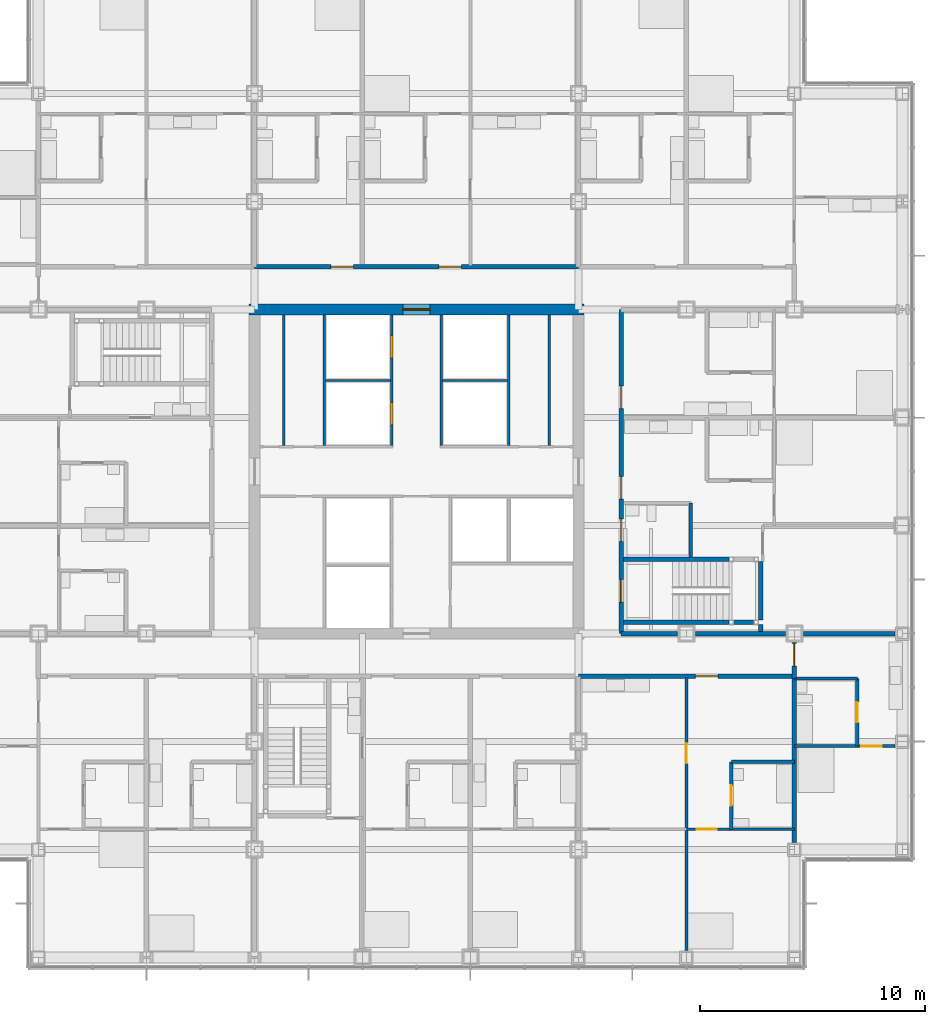
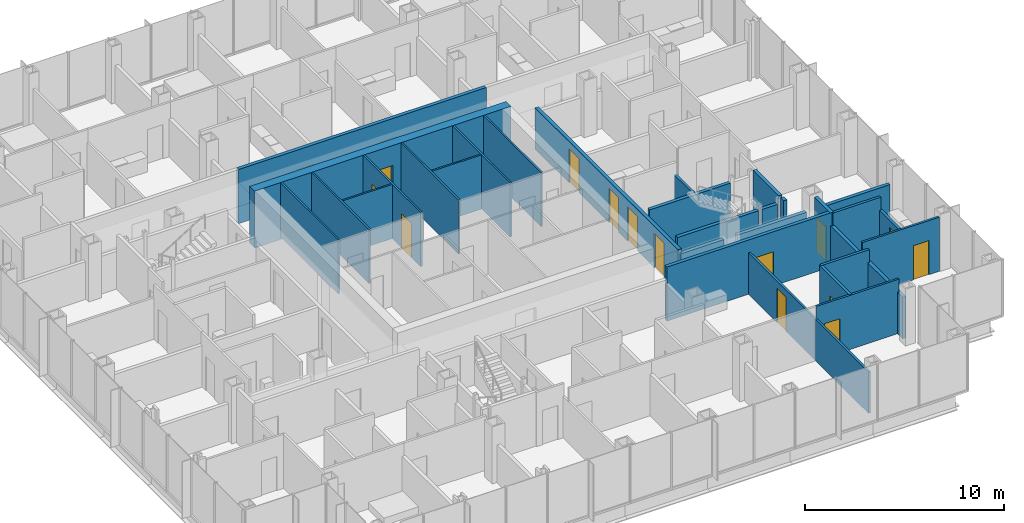
# One storey, part 16 of 21: 31 walls, 16 doors, 16 openings.
"""IFC4 building model written with IfcOpenShell, lengths in metres."""

from ifc_helpers import new_model, si_unit, direction, frame, frame_2d, origin, place, context, subcontext, project, spatial, rectangle, extrude, material, layer, layer_set, type_object, element, fill, save


model = new_model("IFC4")

# Units and contexts
model_context = context("Model", 3, precision=1e-05, world=origin(), true_north=direction((0.0, 1.0)))
body_context = subcontext(model_context, "Body", "Model", "MODEL_VIEW")
ifc_project = project(units=[si_unit("LENGTHUNIT", "METRE"), si_unit("AREAUNIT", "SQUARE_METRE"), si_unit("VOLUMEUNIT", "CUBIC_METRE"), si_unit("PLANEANGLEUNIT", "RADIAN"), si_unit("MASSUNIT", "GRAM", prefix="KILO")], contexts=[model_context])

# Site, building, storey
site_placement = place(None, origin())
site = spatial("IfcSite", under=ifc_project, at=site_placement, CompositionType="ELEMENT")
building_placement = place(site_placement, origin())
building = spatial("IfcBuilding", under=site, at=building_placement, Name="Kvirike Care Tower", CompositionType="ELEMENT")
storey_placement = place(building_placement, frame((0.0, 0.0, 34.0)))
storey = spatial("IfcBuildingStorey", under=building, at=storey_placement, Name="L08", CompositionType="ELEMENT", Elevation=34.0)

# Wall, opening, door
ifc_material_1 = material(Name="Moisture-resistant board partition", Category="gypsum")
ifc_layer_1 = layer(ifc_material_1, 0.14990234375)
ifc_layer_set_1 = layer_set([ifc_layer_1], Name="BATHROOM WALL 150")
wall_type_1 = type_object("IfcWallType", Name="BATHROOM WALL 150", PredefinedType="PARTITIONING", material=ifc_layer_set_1)
wall_1_placement = place(storey_placement, frame((35.60009765625, 20.10009765625, 0.0), z_axis=(0.0, 0.0, 1.0), x_axis=(0.0, 1.0, 0.0)))
wall_1 = element("IfcWall", 1, at=wall_1_placement, inside=storey, type_object=wall_type_1, Name="Bathroom Wall 150 L08", PredefinedType="PARTITIONING", context=body_context, shape_type="SweptSolid", body=[
    extrude(rectangle(XDim=3.0, YDim=0.14990234375, at=frame_2d((1.5, 0.0))), origin(), (0.0, 0.0, 1.0), 3.330078125),
])
opening_1_placement = place(wall_1_placement, frame((1.050048828125, 0.0, 0.0)))
opening_1 = element("IfcOpeningElement", 2, at=opening_1_placement, cuts=wall_1, Name="Opening 08-043", PredefinedType="OPENING", context=body_context, shape_type="SweptSolid", body=[
    extrude(rectangle(XDim=0.89990234375, YDim=2.10009765625, at=frame_2d((0.449951171875, 1.050048828125))), frame((0.0, 0.08544921875, 0.0), z_axis=(0.0, -1.0, 0.0), x_axis=(1.0, 0.0, 0.0)), (0.0, 0.0, 1.0), 0.1708984375),
])
ifc_material_2 = material(Name="Timber door set", Category="wood")
door_type_1 = type_object("IfcDoorType", Name="BATHROOM DOOR 900", OperationType="SINGLE_SWING_RIGHT", PredefinedType="DOOR", material=ifc_material_2)
door_1_placement = place(opening_1_placement, frame((0.89990234375, 0.0, 0.0), z_axis=(0.0, 0.0, 1.0), x_axis=(-1.0, 0.0, 0.0)))
door_1 = element("IfcDoor", 3, at=door_1_placement, inside=storey, type_object=door_type_1, Name="Bathroom door", OperationType="SINGLE_SWING_RIGHT", OverallHeight=2.10009765625, OverallWidth=0.89990234375, PredefinedType="DOOR", context=body_context, shape_type="SweptSolid", body=[
    extrude(rectangle(XDim=0.89990234375, YDim=2.10009765625, at=frame_2d((0.449951171875, 1.050048828125))), frame((0.0, 0.02197265625, 0.0), z_axis=(0.0, -1.0, 0.0), x_axis=(1.0, 0.0, 0.0)), (0.0, 0.0, 1.0), 0.0439453125),
])
fill(opening_1, door_1)

# Wall
wall_2_placement = place(storey_placement, frame((35.60009765625, 23.10009765625, 0.0), z_axis=(0.0, 0.0, 1.0), x_axis=(1.0, 0.0, 0.0)))
element("IfcWall", 4, at=wall_2_placement, inside=storey, type_object=wall_type_1, Name="Bathroom Wall 150 L08", PredefinedType="PARTITIONING", context=body_context, shape_type="SweptSolid", body=[
    extrude(rectangle(XDim=2.7998046875, YDim=0.14990234375, at=frame_2d((1.39990234375, 0.0))), origin(), (0.0, 0.0, 1.0), 3.330078125),
])

# Wall, opening, door
wall_3_placement = place(storey_placement, frame((41.199951171875, 23.800048828125, 0.0), z_axis=(0.0, 0.0, 1.0), x_axis=(0.0, 1.0, 0.0)))
wall_3 = element("IfcWall", 5, at=wall_3_placement, inside=storey, type_object=wall_type_1, Name="Bathroom Wall 150 L08", PredefinedType="PARTITIONING", context=body_context, shape_type="SweptSolid", body=[
    extrude(rectangle(XDim=3.0, YDim=0.14990234375, at=frame_2d((1.5, 0.0))), origin(), (0.0, 0.0, 1.0), 2.550048828125),
])
opening_2_placement = place(wall_3_placement, frame((1.050048828125, 0.0, 0.0)))
opening_2 = element("IfcOpeningElement", 6, at=opening_2_placement, cuts=wall_3, Name="Opening 08-047", PredefinedType="OPENING", context=body_context, shape_type="SweptSolid", body=[
    extrude(rectangle(XDim=0.89990234375, YDim=2.10009765625, at=frame_2d((0.449951171875, 1.050048828125))), frame((0.0, 0.08544921875, 0.0), z_axis=(0.0, -1.0, 0.0), x_axis=(1.0, 0.0, 0.0)), (0.0, 0.0, 1.0), 0.1708984375),
])
door_2_placement = place(opening_2_placement, origin())
door_2 = element("IfcDoor", 7, at=door_2_placement, inside=storey, type_object=door_type_1, Name="Bathroom door", OperationType="SINGLE_SWING_LEFT", OverallHeight=2.10009765625, OverallWidth=0.89990234375, PredefinedType="DOOR", context=body_context, shape_type="SweptSolid", body=[
    extrude(rectangle(XDim=0.89990234375, YDim=2.10009765625, at=frame_2d((0.449951171875, 1.050048828125))), frame((0.0, 0.02197265625, 0.0), z_axis=(0.0, -1.0, 0.0), x_axis=(1.0, 0.0, 0.0)), (0.0, 0.0, 1.0), 0.0439453125),
])
fill(opening_2, door_2)

# Walls
wall_4_placement = place(storey_placement, frame((38.39990234375, 26.800048828125, 0.0), z_axis=(0.0, 0.0, 1.0), x_axis=(1.0, 0.0, 0.0)))
element("IfcWall", 8, at=wall_4_placement, inside=storey, type_object=wall_type_1, Name="Bathroom Wall 150 L08", PredefinedType="PARTITIONING", context=body_context, shape_type="SweptSolid", body=[
    extrude(rectangle(XDim=2.800048828125, YDim=0.14990234375, at=frame_2d((1.39990234375, 0.0))), origin(), (0.0, 0.0, 1.0), 3.330078125),
])
wall_5_placement = place(storey_placement, frame((33.800048828125, 32.199951171875, 0.0), z_axis=(0.0, 0.0, 1.0), x_axis=(0.0, 1.0, 0.0)))
element("IfcWall", 9, at=wall_5_placement, inside=storey, type_object=wall_type_1, Name="Bathroom Wall 150 L08", PredefinedType="PARTITIONING", context=body_context, shape_type="SweptSolid", body=[
    extrude(rectangle(XDim=2.400146484375, YDim=0.14990234375, at=frame_2d((1.2001953125, 0.0))), origin(), (0.0, 0.0, 1.0), 2.550048828125),
])

# Wall, opening, door
ifc_material_3 = material(Name="Concrete C60/75", Category="concrete")
ifc_layer_2 = layer(ifc_material_3, 0.5)
ifc_layer_set_2 = layer_set([ifc_layer_2], Name="CORE WALL 500 C60-75")
wall_type_2 = type_object("IfcWallType", Name="CORE WALL 500 C60-75", PredefinedType="SHEAR", material=ifc_layer_set_2)
wall_6_placement = place(storey_placement, frame((29.050048828125, 43.199951171875, -0.169921875), z_axis=(0.0, 0.0, 1.0), x_axis=(-1.0, 0.0, 0.0)))
wall_6 = element("IfcWall", 10, at=wall_6_placement, inside=storey, type_object=wall_type_2, Name="Core wall N L08", PredefinedType="SHEAR", context=body_context, shape_type="SweptSolid", body=[
    extrude(rectangle(XDim=14.900146484375, YDim=0.5, at=frame_2d((7.4501953125, 0.0))), origin(), (0.0, 0.0, 1.0), 3.5),
])
opening_3_placement = place(wall_6_placement, frame((6.85009765625, 0.0, 0.169921875)))
opening_3 = element("IfcOpeningElement", 11, at=opening_3_placement, cuts=wall_6, Name="Opening 08-082", PredefinedType="OPENING", context=body_context, shape_type="SweptSolid", body=[
    extrude(rectangle(XDim=1.199951171875, YDim=2.10009765625, at=frame_2d((0.60009765625, 1.050048828125))), frame((0.0, 0.260498046875, 0.0), z_axis=(0.0, -1.0, 0.0), x_axis=(1.0, 0.0, 0.0)), (0.0, 0.0, 1.0), 0.52099609375),
])
ifc_material_4 = material(Name="Timber door set", Category="wood")
door_type_2 = type_object("IfcDoorType", Name="CORE DOOR 1200", OperationType="SINGLE_SWING_LEFT", PredefinedType="DOOR", material=ifc_material_4)
door_3_placement = place(opening_3_placement, origin())
door_3 = element("IfcDoor", 12, at=door_3_placement, inside=storey, type_object=door_type_2, Name="Core door N L08", OperationType="SINGLE_SWING_LEFT", OverallHeight=2.10009765625, OverallWidth=1.199951171875, PredefinedType="DOOR", context=body_context, shape_type="SweptSolid", body=[
    extrude(rectangle(XDim=1.199951171875, YDim=2.10009765625, at=frame_2d((0.60009765625, 1.050048828125))), frame((0.0, 0.02685546875, 0.0), z_axis=(0.0, -1.0, 0.0), x_axis=(1.0, 0.0, 0.0)), (0.0, 0.0, 1.0), 0.053955078125),
])
fill(opening_3, door_3)

# Wall, openings, doors
ifc_material_5 = material(Name="Plasterboard corridor wall", Category="gypsum")
ifc_layer_3 = layer(ifc_material_5, 0.199951171875)
ifc_layer_set_3 = layer_set([ifc_layer_3], Name="CORRIDOR WALL 200")
wall_type_3 = type_object("IfcWallType", Name="CORRIDOR WALL 200", PredefinedType="PARTITIONING", material=ifc_layer_set_3)
wall_7_placement = place(storey_placement, frame((28.800048828125, 45.10009765625, 0.0), z_axis=(0.0, 0.0, 1.0), x_axis=(-1.0, 0.0, 0.0)))
wall_7 = element("IfcWall", 13, at=wall_7_placement, inside=storey, type_object=wall_type_3, Name="Corridor Wall 200 L08", PredefinedType="PARTITIONING", context=body_context, shape_type="SweptSolid", body=[
    extrude(rectangle(XDim=14.400146484375, YDim=0.199951171875, at=frame_2d((7.2001953125, 0.0))), origin(), (0.0, 0.0, 1.0), 3.330078125),
])
opening_4_placement = place(wall_7_placement, frame((5.199951171875, 0.0, 0.0)))
opening_4 = element("IfcOpeningElement", 14, at=opening_4_placement, cuts=wall_7, Name="Opening 08-041", PredefinedType="OPENING", context=body_context, shape_type="SweptSolid", body=[
    extrude(rectangle(XDim=1.0, YDim=2.10009765625, at=frame_2d((0.5, 1.050048828125))), frame((0.0, 0.110595703125, 0.0), z_axis=(0.0, -1.0, 0.0), x_axis=(1.0, 0.0, 0.0)), (0.0, 0.0, 1.0), 0.220947265625),
])
opening_5_placement = place(wall_7_placement, frame((10.0, 0.0, 0.0)))
opening_5 = element("IfcOpeningElement", 15, at=opening_5_placement, cuts=wall_7, Name="Opening 08-042", PredefinedType="OPENING", context=body_context, shape_type="SweptSolid", body=[
    extrude(rectangle(XDim=1.0, YDim=2.10009765625, at=frame_2d((0.5, 1.050048828125))), frame((0.0, 0.110595703125, 0.0), z_axis=(0.0, -1.0, 0.0), x_axis=(1.0, 0.0, 0.0)), (0.0, 0.0, 1.0), 0.220947265625),
])
ifc_material_6 = material(Name="Timber door set", Category="wood")
door_type_3 = type_object("IfcDoorType", Name="FLAT ENTRANCE DOOR 1000", OperationType="SINGLE_SWING_LEFT", PredefinedType="DOOR", material=ifc_material_6)
door_4_placement = place(opening_4_placement, frame((1.0, 0.0, 0.0), z_axis=(0.0, 0.0, 1.0), x_axis=(-1.0, 0.0, 0.0)))
door_4 = element("IfcDoor", 16, at=door_4_placement, inside=storey, type_object=door_type_3, Name="One-bedroom apartment entrance", OperationType="SINGLE_SWING_LEFT", OverallHeight=2.10009765625, OverallWidth=1.0, PredefinedType="DOOR", context=body_context, shape_type="SweptSolid", body=[
    extrude(rectangle(XDim=1.0, YDim=2.10009765625, at=frame_2d((0.5, 1.050048828125))), frame((0.0, 0.02685546875, 0.0), z_axis=(0.0, -1.0, 0.0), x_axis=(1.0, 0.0, 0.0)), (0.0, 0.0, 1.0), 0.053955078125),
])
fill(opening_4, door_4)
door_5_placement = place(opening_5_placement, frame((1.0, 0.0, 0.0), z_axis=(0.0, 0.0, 1.0), x_axis=(-1.0, 0.0, 0.0)))
door_5 = element("IfcDoor", 17, at=door_5_placement, inside=storey, type_object=door_type_3, Name="Studio apartment entrance", OperationType="SINGLE_SWING_LEFT", OverallHeight=2.10009765625, OverallWidth=1.0, PredefinedType="DOOR", context=body_context, shape_type="SweptSolid", body=[
    extrude(rectangle(XDim=1.0, YDim=2.10009765625, at=frame_2d((0.5, 1.050048828125))), frame((0.0, 0.02685546875, 0.0), z_axis=(0.0, -1.0, 0.0), x_axis=(1.0, 0.0, 0.0)), (0.0, 0.0, 1.0), 0.053955078125),
])
fill(opening_5, door_5)

# Wall, opening, door
wall_8_placement = place(storey_placement, frame((28.800048828125, 26.89990234375, 0.0), z_axis=(0.0, 0.0, 1.0), x_axis=(1.0, 0.0, 0.0)))
wall_8 = element("IfcWall", 18, at=wall_8_placement, inside=storey, type_object=wall_type_3, Name="Corridor Wall 200 L08", PredefinedType="PARTITIONING", context=body_context, shape_type="SweptSolid", body=[
    extrude(rectangle(XDim=9.599853515625, YDim=0.199951171875, at=frame_2d((4.7998046875, 0.0))), origin(), (0.0, 0.0, 1.0), 3.330078125),
])
opening_6_placement = place(wall_8_placement, frame((5.199951171875, 0.0, 0.0)))
opening_6 = element("IfcOpeningElement", 19, at=opening_6_placement, cuts=wall_8, Name="Opening 08-049", PredefinedType="OPENING", context=body_context, shape_type="SweptSolid", body=[
    extrude(rectangle(XDim=1.0, YDim=2.10009765625, at=frame_2d((0.5, 1.050048828125))), frame((0.0, 0.110595703125, 0.0), z_axis=(0.0, -1.0, 0.0), x_axis=(1.0, 0.0, 0.0)), (0.0, 0.0, 1.0), 0.220947265625),
])
door_6_placement = place(opening_6_placement, frame((1.0, 0.0, 0.0), z_axis=(0.0, 0.0, 1.0), x_axis=(-1.0, 0.0, 0.0)))
door_6 = element("IfcDoor", 20, at=door_6_placement, inside=storey, type_object=door_type_3, Name="One-bedroom apartment entrance", OperationType="SINGLE_SWING_LEFT", OverallHeight=2.10009765625, OverallWidth=1.0, PredefinedType="DOOR", context=body_context, shape_type="SweptSolid", body=[
    extrude(rectangle(XDim=1.0, YDim=2.10009765625, at=frame_2d((0.5, 1.050048828125))), frame((0.0, 0.02685546875, 0.0), z_axis=(0.0, -1.0, 0.0), x_axis=(1.0, 0.0, 0.0)), (0.0, 0.0, 1.0), 0.053955078125),
])
fill(opening_6, door_6)

wall_9_placement = place(storey_placement, frame((38.39990234375, 26.800048828125, 0.0), z_axis=(0.0, 0.0, 1.0), x_axis=(0.0, 1.0, 0.0)))
wall_9 = element("IfcWall", 21, at=wall_9_placement, inside=storey, type_object=wall_type_3, Name="Corridor Wall 200 L08", PredefinedType="PARTITIONING", context=body_context, shape_type="SweptSolid", body=[
    extrude(rectangle(XDim=1.60498046875, YDim=0.199951171875, at=frame_2d((0.802490234375, 0.0))), origin(), (0.0, 0.0, 1.0), 3.330078125),
])
opening_7_placement = place(wall_9_placement, frame((0.550048828125, 0.0, 0.0)))
opening_7 = element("IfcOpeningElement", 22, at=opening_7_placement, cuts=wall_9, Name="Opening 08-050", PredefinedType="OPENING", context=body_context, shape_type="SweptSolid", body=[
    extrude(rectangle(XDim=1.0, YDim=2.10009765625, at=frame_2d((0.5, 1.050048828125))), frame((0.0, 0.110595703125, 0.0), z_axis=(0.0, -1.0, 0.0), x_axis=(1.0, 0.0, 0.0)), (0.0, 0.0, 1.0), 0.220947265625),
])
door_7_placement = place(opening_7_placement, frame((1.0, 0.0, 0.0), z_axis=(0.0, 0.0, 1.0), x_axis=(-1.0, 0.0, 0.0)))
door_7 = element("IfcDoor", 23, at=door_7_placement, inside=storey, type_object=door_type_3, Name="Studio apartment entrance", OperationType="SINGLE_SWING_RIGHT", OverallHeight=2.10009765625, OverallWidth=1.0, PredefinedType="DOOR", context=body_context, shape_type="SweptSolid", body=[
    extrude(rectangle(XDim=1.0, YDim=2.10009765625, at=frame_2d((0.5, 1.050048828125))), frame((0.0, 0.02685546875, 0.0), z_axis=(0.0, -1.0, 0.0), x_axis=(1.0, 0.0, 0.0)), (0.0, 0.0, 1.0), 0.053955078125),
])
fill(opening_7, door_7)

# Wall, openings, doors
wall_10_placement = place(storey_placement, frame((30.699951171875, 28.800048828125, 0.0), z_axis=(0.0, 0.0, 1.0), x_axis=(0.0, 1.0, 0.0)))
wall_10 = element("IfcWall", 24, at=wall_10_placement, inside=storey, type_object=wall_type_3, Name="Corridor Wall 200 L08", PredefinedType="PARTITIONING", context=body_context, shape_type="SweptSolid", body=[
    extrude(rectangle(XDim=14.39990234375, YDim=0.199951171875, at=frame_2d((7.199951171875, 0.0))), origin(), (0.0, 0.0, 1.0), 2.550048828125),
])
opening_8_placement = place(wall_10_placement, frame((1.39990234375, 0.0, 0.0)))
opening_8 = element("IfcOpeningElement", 25, at=opening_8_placement, cuts=wall_10, Name="Opening 08-056", PredefinedType="OPENING", context=body_context, shape_type="SweptSolid", body=[
    extrude(rectangle(XDim=1.0, YDim=2.10009765625, at=frame_2d((0.5, 1.050048828125))), frame((0.0, 0.110595703125, 0.0), z_axis=(0.0, -1.0, 0.0), x_axis=(1.0, 0.0, 0.0)), (0.0, 0.0, 1.0), 0.220947265625),
])
opening_9_placement = place(wall_10_placement, frame((4.10009765625, 0.0, 0.0)))
opening_9 = element("IfcOpeningElement", 26, at=opening_9_placement, cuts=wall_10, Name="Opening 08-057", PredefinedType="OPENING", context=body_context, shape_type="SweptSolid", body=[
    extrude(rectangle(XDim=1.0, YDim=2.10009765625, at=frame_2d((0.5, 1.050048828125))), frame((0.0, 0.110595703125, 0.0), z_axis=(0.0, -1.0, 0.0), x_axis=(1.0, 0.0, 0.0)), (0.0, 0.0, 1.0), 0.220947265625),
])
opening_10_placement = place(wall_10_placement, frame((5.97509765625, 0.0, 0.0)))
opening_10 = element("IfcOpeningElement", 27, at=opening_10_placement, cuts=wall_10, Name="Opening 08-058", PredefinedType="OPENING", context=body_context, shape_type="SweptSolid", body=[
    extrude(rectangle(XDim=1.0, YDim=2.10009765625, at=frame_2d((0.5, 1.050048828125))), frame((0.0, 0.110595703125, 0.0), z_axis=(0.0, -1.0, 0.0), x_axis=(1.0, 0.0, 0.0)), (0.0, 0.0, 1.0), 0.220947265625),
])
opening_11_placement = place(wall_10_placement, frame((10.0, 0.0, 0.0)))
opening_11 = element("IfcOpeningElement", 28, at=opening_11_placement, cuts=wall_10, Name="Opening 08-059", PredefinedType="OPENING", context=body_context, shape_type="SweptSolid", body=[
    extrude(rectangle(XDim=1.0, YDim=2.10009765625, at=frame_2d((0.5, 1.050048828125))), frame((0.0, 0.110595703125, 0.0), z_axis=(0.0, -1.0, 0.0), x_axis=(1.0, 0.0, 0.0)), (0.0, 0.0, 1.0), 0.220947265625),
])
door_8_placement = place(opening_10_placement, frame((1.0, 0.0, 0.0), z_axis=(0.0, 0.0, 1.0), x_axis=(-1.0, 0.0, 0.0)))
door_8 = element("IfcDoor", 29, at=door_8_placement, inside=storey, type_object=door_type_3, Name="One-bedroom apartment entrance", OperationType="SINGLE_SWING_LEFT", OverallHeight=2.10009765625, OverallWidth=1.0, PredefinedType="DOOR", context=body_context, shape_type="SweptSolid", body=[
    extrude(rectangle(XDim=1.0, YDim=2.10009765625, at=frame_2d((0.5, 1.050048828125))), frame((0.0, 0.02685546875, 0.0), z_axis=(0.0, -1.0, 0.0), x_axis=(1.0, 0.0, 0.0)), (0.0, 0.0, 1.0), 0.053955078125),
])
fill(opening_10, door_8)
door_9_placement = place(opening_11_placement, frame((1.0, 0.0, 0.0), z_axis=(0.0, 0.0, 1.0), x_axis=(-1.0, 0.0, 0.0)))
door_9 = element("IfcDoor", 30, at=door_9_placement, inside=storey, type_object=door_type_3, Name="Studio apartment entrance", OperationType="SINGLE_SWING_LEFT", OverallHeight=2.10009765625, OverallWidth=1.0, PredefinedType="DOOR", context=body_context, shape_type="SweptSolid", body=[
    extrude(rectangle(XDim=1.0, YDim=2.10009765625, at=frame_2d((0.5, 1.050048828125))), frame((0.0, 0.02685546875, 0.0), z_axis=(0.0, -1.0, 0.0), x_axis=(1.0, 0.0, 0.0)), (0.0, 0.0, 1.0), 0.053955078125),
])
fill(opening_11, door_9)
ifc_material_7 = material(Name="Timber door set", Category="wood")
door_type_4 = type_object("IfcDoorType", Name="STAIR DOOR 1000", OperationType="SINGLE_SWING_LEFT", PredefinedType="DOOR", material=ifc_material_7)
door_10_placement = place(opening_8_placement, frame((1.0, 0.0, 0.0), z_axis=(0.0, 0.0, 1.0), x_axis=(-1.0, 0.0, 0.0)))
door_10 = element("IfcDoor", 31, at=door_10_placement, inside=storey, type_object=door_type_4, Name="Stair 2 door", OperationType="SINGLE_SWING_RIGHT", OverallHeight=2.10009765625, OverallWidth=1.0, PredefinedType="DOOR", context=body_context, shape_type="SweptSolid", body=[
    extrude(rectangle(XDim=1.0, YDim=2.10009765625, at=frame_2d((0.5, 1.050048828125))), frame((0.0, 0.031982421875, 0.0), z_axis=(0.0, -1.0, 0.0), x_axis=(1.0, 0.0, 0.0)), (0.0, 0.0, 1.0), 0.06396484375),
])
fill(opening_8, door_10)
ifc_material_8 = material(Name="Timber door set", Category="wood")
door_type_5 = type_object("IfcDoorType", Name="WC DOOR 1000", OperationType="SINGLE_SWING_LEFT", PredefinedType="DOOR", material=ifc_material_8)
door_11_placement = place(opening_9_placement, frame((1.0, 0.0, 0.0), z_axis=(0.0, 0.0, 1.0), x_axis=(-1.0, 0.0, 0.0)))
door_11 = element("IfcDoor", 32, at=door_11_placement, inside=storey, type_object=door_type_5, Name="Accessible WC door", OperationType="SINGLE_SWING_LEFT", OverallHeight=2.10009765625, OverallWidth=1.0, PredefinedType="DOOR", context=body_context, shape_type="SweptSolid", body=[
    extrude(rectangle(XDim=1.0, YDim=2.10009765625, at=frame_2d((0.5, 1.050048828125))), frame((0.0, 0.02685546875, 0.0), z_axis=(0.0, -1.0, 0.0), x_axis=(1.0, 0.0, 0.0)), (0.0, 0.0, 1.0), 0.053955078125),
])
fill(opening_9, door_11)

# Wall, opening, door
ifc_material_9 = material(Name="Plasterboard partition", Category="gypsum")
ifc_layer_4 = layer(ifc_material_9, 0.1201171875)
ifc_layer_set_4 = layer_set([ifc_layer_4], Name="PARTITION 120")
wall_type_4 = type_object("IfcWallType", Name="PARTITION 120", PredefinedType="PARTITIONING", material=ifc_layer_set_4)
wall_11_placement = place(storey_placement, frame((33.60009765625, 20.10009765625, 0.0), z_axis=(0.0, 0.0, 1.0), x_axis=(0.0, 1.0, 0.0)))
wall_11 = element("IfcWall", 33, at=wall_11_placement, inside=storey, type_object=wall_type_4, Name="Partition 120 L08", PredefinedType="PARTITIONING", context=body_context, shape_type="SweptSolid", body=[
    extrude(rectangle(XDim=6.75, YDim=0.1201171875, at=frame_2d((3.375, 0.0))), origin(), (0.0, 0.0, 1.0), 2.550048828125),
])
opening_12_placement = place(wall_11_placement, frame((2.925048828125, 0.0, 0.0)))
opening_12 = element("IfcOpeningElement", 34, at=opening_12_placement, cuts=wall_11, Name="Opening 08-044", PredefinedType="OPENING", context=body_context, shape_type="SweptSolid", body=[
    extrude(rectangle(XDim=0.89990234375, YDim=2.10009765625, at=frame_2d((0.449951171875, 1.050048828125))), frame((0.0, 0.070556640625, 0.0), z_axis=(0.0, -1.0, 0.0), x_axis=(1.0, 0.0, 0.0)), (0.0, 0.0, 1.0), 0.14111328125),
])
ifc_material_10 = material(Name="Timber door set", Category="wood")
door_type_6 = type_object("IfcDoorType", Name="INTERNAL DOOR 900", OperationType="SINGLE_SWING_LEFT", PredefinedType="DOOR", material=ifc_material_10)
door_12_placement = place(opening_12_placement, frame((0.89990234375, 0.0, 0.0), z_axis=(0.0, 0.0, 1.0), x_axis=(-1.0, 0.0, 0.0)))
door_12 = element("IfcDoor", 35, at=door_12_placement, inside=storey, type_object=door_type_6, Name="Hall door", OperationType="SINGLE_SWING_RIGHT", OverallHeight=2.10009765625, OverallWidth=0.89990234375, PredefinedType="DOOR", context=body_context, shape_type="SweptSolid", body=[
    extrude(rectangle(XDim=0.89990234375, YDim=2.10009765625, at=frame_2d((0.449951171875, 1.050048828125))), frame((0.0, 0.02197265625, 0.0), z_axis=(0.0, -1.0, 0.0), x_axis=(1.0, 0.0, 0.0)), (0.0, 0.0, 1.0), 0.0439453125),
])
fill(opening_12, door_12)

wall_12_placement = place(storey_placement, frame((33.60009765625, 20.10009765625, 0.0), z_axis=(0.0, 0.0, 1.0), x_axis=(1.0, 0.0, 0.0)))
wall_12 = element("IfcWall", 36, at=wall_12_placement, inside=storey, type_object=wall_type_4, Name="Partition 120 L08", PredefinedType="PARTITIONING", context=body_context, shape_type="SweptSolid", body=[
    extrude(rectangle(XDim=4.7998046875, YDim=0.1201171875, at=frame_2d((2.39990234375, 0.0))), origin(), (0.0, 0.0, 1.0), 3.330078125),
])
opening_13_placement = place(wall_12_placement, frame((0.449951171875, 0.0, 0.0)))
opening_13 = element("IfcOpeningElement", 37, at=opening_13_placement, cuts=wall_12, Name="Opening 08-046", PredefinedType="OPENING", context=body_context, shape_type="SweptSolid", body=[
    extrude(rectangle(XDim=0.89990234375, YDim=2.10009765625, at=frame_2d((0.449951171875, 1.050048828125))), frame((0.0, 0.070556640625, 0.0), z_axis=(0.0, -1.0, 0.0), x_axis=(1.0, 0.0, 0.0)), (0.0, 0.0, 1.0), 0.14111328125),
])
door_13_placement = place(opening_13_placement, origin())
door_13 = element("IfcDoor", 38, at=door_13_placement, inside=storey, type_object=door_type_6, Name="Apartment bedroom door", OperationType="SINGLE_SWING_RIGHT", OverallHeight=2.10009765625, OverallWidth=0.89990234375, PredefinedType="DOOR", context=body_context, shape_type="SweptSolid", body=[
    extrude(rectangle(XDim=0.89990234375, YDim=2.10009765625, at=frame_2d((0.449951171875, 1.050048828125))), frame((0.0, 0.02197265625, 0.0), z_axis=(0.0, -1.0, 0.0), x_axis=(1.0, 0.0, 0.0)), (0.0, 0.0, 1.0), 0.0439453125),
])
fill(opening_13, door_13)

# Wall
wall_13_placement = place(storey_placement, frame((33.60009765625, 14.719970703125, 0.0), z_axis=(0.0, 0.0, 1.0), x_axis=(0.0, 1.0, 0.0)))
element("IfcWall", 39, at=wall_13_placement, inside=storey, type_object=wall_type_4, Name="Partition 120 L08", PredefinedType="PARTITIONING", context=body_context, shape_type="SweptSolid", body=[
    extrude(rectangle(XDim=5.380126953125, YDim=0.1201171875, at=frame_2d((2.68994140625, 0.0))), origin(), (0.0, 0.0, 1.0), 2.550048828125),
])

# Wall, opening, door
wall_14_placement = place(storey_placement, frame((38.39990234375, 23.800048828125, 0.0), z_axis=(0.0, 0.0, 1.0), x_axis=(1.0, 0.0, 0.0)))
wall_14 = element("IfcWall", 40, at=wall_14_placement, inside=storey, type_object=wall_type_4, Name="Partition 120 L08", PredefinedType="PARTITIONING", context=body_context, shape_type="SweptSolid", body=[
    extrude(rectangle(XDim=4.47998046875, YDim=0.1201171875, at=frame_2d((2.239990234375, 0.0))), origin(), (0.0, 0.0, 1.0), 3.330078125),
])
opening_14_placement = place(wall_14_placement, frame((2.97509765625, 0.0, 0.0)))
opening_14 = element("IfcOpeningElement", 41, at=opening_14_placement, cuts=wall_14, Name="Opening 08-048", PredefinedType="OPENING", context=body_context, shape_type="SweptSolid", body=[
    extrude(rectangle(XDim=0.89990234375, YDim=2.10009765625, at=frame_2d((0.449951171875, 1.050048828125))), frame((0.0, 0.070556640625, 0.0), z_axis=(0.0, -1.0, 0.0), x_axis=(1.0, 0.0, 0.0)), (0.0, 0.0, 1.0), 0.14111328125),
])
door_14_placement = place(opening_14_placement, origin())
door_14 = element("IfcDoor", 42, at=door_14_placement, inside=storey, type_object=door_type_6, Name="Studio apartment living room door", OperationType="SINGLE_SWING_RIGHT", OverallHeight=2.10009765625, OverallWidth=0.89990234375, PredefinedType="DOOR", context=body_context, shape_type="SweptSolid", body=[
    extrude(rectangle(XDim=0.89990234375, YDim=2.10009765625, at=frame_2d((0.449951171875, 1.050048828125))), frame((0.0, 0.02197265625, 0.0), z_axis=(0.0, -1.0, 0.0), x_axis=(1.0, 0.0, 0.0)), (0.0, 0.0, 1.0), 0.0439453125),
])
fill(opening_14, door_14)

# Walls
ifc_material_11 = material(Name="Plasterboard party wall", Category="gypsum")
ifc_layer_5 = layer(ifc_material_11, 0.199951171875)
ifc_layer_set_5 = layer_set([ifc_layer_5], Name="PARTY WALL 200")
wall_type_5 = type_object("IfcWallType", Name="PARTY WALL 200", PredefinedType="PARTITIONING", material=ifc_layer_set_5)
wall_15_placement = place(storey_placement, frame((38.39990234375, 19.52001953125, 0.0), z_axis=(0.0, 0.0, 1.0), x_axis=(0.0, 1.0, 0.0)))
element("IfcWall", 43, at=wall_15_placement, inside=storey, type_object=wall_type_5, Name="Party Wall 200 L08", PredefinedType="PARTITIONING", context=body_context, shape_type="SweptSolid", body=[
    extrude(rectangle(XDim=7.280029296875, YDim=0.199951171875, at=frame_2d((3.64013671875, 0.0))), origin(), (0.0, 0.0, 1.0), 2.550048828125),
])
wall_16_placement = place(storey_placement, frame((42.8798828125, 28.800048828125, 0.0), z_axis=(0.0, 0.0, 1.0), x_axis=(-1.0, 0.0, 0.0)))
element("IfcWall", 44, at=wall_16_placement, inside=storey, type_object=wall_type_5, Name="Party Wall 200 L08", PredefinedType="PARTITIONING", context=body_context, shape_type="SweptSolid", body=[
    extrude(rectangle(XDim=4.0849609375, YDim=0.199951171875, at=frame_2d((2.04248046875, 0.0))), origin(), (0.0, 0.0, 1.0), 2.320068359375),
])
wall_17_placement = place(storey_placement, frame((38.0048828125, 28.800048828125, 0.0), z_axis=(0.0, 0.0, 1.0), x_axis=(-1.0, 0.0, 0.0)))
element("IfcWall", 45, at=wall_17_placement, inside=storey, type_object=wall_type_5, Name="Party Wall 200 L08", PredefinedType="PARTITIONING", context=body_context, shape_type="SweptSolid", body=[
    extrude(rectangle(XDim=4.009765625, YDim=0.199951171875, at=frame_2d((2.0048828125, 0.0))), origin(), (0.0, 0.0, 1.0), 2.320068359375),
])
wall_18_placement = place(storey_placement, frame((33.205078125, 28.800048828125, 0.0), z_axis=(0.0, 0.0, 1.0), x_axis=(-1.0, 0.0, 0.0)))
element("IfcWall", 46, at=wall_18_placement, inside=storey, type_object=wall_type_5, Name="Party Wall 200 L08", PredefinedType="PARTITIONING", context=body_context, shape_type="SweptSolid", body=[
    extrude(rectangle(XDim=2.505126953125, YDim=0.199951171875, at=frame_2d((1.25244140625, 0.0))), origin(), (0.0, 0.0, 1.0), 2.320068359375),
])
ifc_material_12 = material(Name="Gypsum shaft wall system", Category="gypsum")
ifc_layer_6 = layer(ifc_material_12, 0.10009765625)
ifc_layer_set_6 = layer_set([ifc_layer_6], Name="SHAFT WALL 100")
wall_type_6 = type_object("IfcWallType", Name="SHAFT WALL 100", PredefinedType="SOLIDWALL", material=ifc_layer_set_6)
for number, where, z_axis, x_axis, name in (
    (47, (15.699951171875, 37.14990234375, 0.0), (0.0, 0.0, 1.0), (0.0, 1.0, 0.0), "Shaft Wall 100 L08"),
    (48, (27.5, 37.14990234375, 0.0), (0.0, 0.0, 1.0), (0.0, 1.0, 0.0), "Shaft Wall 100 L08"),
):
    element("IfcWall", number, at=place(storey_placement, frame(where, z_axis=z_axis, x_axis=x_axis)), inside=storey, type_object=wall_type_6, Name=name, PredefinedType="SOLIDWALL", context=body_context, shape_type="SweptSolid", body=[
        extrude(rectangle(XDim=5.800048828125, YDim=0.10009765625, at=frame_2d((2.89990234375, 0.0))), origin(), (0.0, 0.0, 1.0), 3.330078125),
    ])

# Wall, openings, doors
wall_19_placement = place(storey_placement, frame((20.5, 37.14990234375, 0.0), z_axis=(0.0, 0.0, 1.0), x_axis=(0.0, 1.0, 0.0)))
wall_19 = element("IfcWall", 49, at=wall_19_placement, inside=storey, type_object=wall_type_6, Name="Shaft Wall 100 L08", PredefinedType="SOLIDWALL", context=body_context, shape_type="SweptSolid", body=[
    extrude(rectangle(XDim=5.800048828125, YDim=0.10009765625, at=frame_2d((2.89990234375, 0.0))), origin(), (0.0, 0.0, 1.0), 3.330078125),
])
opening_15_placement = place(wall_19_placement, frame((0.925048828125, 0.0, 0.0)))
opening_15 = element("IfcOpeningElement", 50, at=opening_15_placement, cuts=wall_19, Name="Opening 08-070", PredefinedType="OPENING", context=body_context, shape_type="SweptSolid", body=[
    extrude(rectangle(XDim=1.0, YDim=2.10009765625, at=frame_2d((0.5, 1.050048828125))), frame((0.0, 0.060546875, 0.0), z_axis=(0.0, -1.0, 0.0), x_axis=(1.0, 0.0, 0.0)), (0.0, 0.0, 1.0), 0.12109375),
])
opening_16_placement = place(wall_19_placement, frame((3.89990234375, 0.0, 0.0)))
opening_16 = element("IfcOpeningElement", 51, at=opening_16_placement, cuts=wall_19, Name="Opening 08-071", PredefinedType="OPENING", context=body_context, shape_type="SweptSolid", body=[
    extrude(rectangle(XDim=1.0, YDim=2.10009765625, at=frame_2d((0.5, 1.050048828125))), frame((0.0, 0.060546875, 0.0), z_axis=(0.0, -1.0, 0.0), x_axis=(1.0, 0.0, 0.0)), (0.0, 0.0, 1.0), 0.12109375),
])
ifc_material_13 = material(Name="Aluminium door frame", Category="aluminium")
door_type_7 = type_object("IfcDoorType", Name="LIFT LANDING DOOR 1000", OperationType="SLIDING_TO_LEFT", PredefinedType="DOOR", material=ifc_material_13)
door_15_placement = place(opening_15_placement, origin())
door_15 = element("IfcDoor", 52, at=door_15_placement, inside=storey, type_object=door_type_7, Name="Lift P1 landing door", OperationType="SLIDING_TO_LEFT", OverallHeight=2.10009765625, OverallWidth=1.0, PredefinedType="DOOR", context=body_context, shape_type="SweptSolid", body=[
    extrude(rectangle(XDim=1.0, YDim=2.10009765625, at=frame_2d((0.5, 1.050048828125))), frame((0.0, 0.0498046875, 0.0), z_axis=(0.0, -1.0, 0.0), x_axis=(1.0, 0.0, 0.0)), (0.0, 0.0, 1.0), 0.099609375),
])
fill(opening_15, door_15)
door_16_placement = place(opening_16_placement, origin())
door_16 = element("IfcDoor", 53, at=door_16_placement, inside=storey, type_object=door_type_7, Name="Lift P2 landing door", OperationType="SLIDING_TO_LEFT", OverallHeight=2.10009765625, OverallWidth=1.0, PredefinedType="DOOR", context=body_context, shape_type="SweptSolid", body=[
    extrude(rectangle(XDim=1.0, YDim=2.10009765625, at=frame_2d((0.5, 1.050048828125))), frame((0.0, 0.0498046875, 0.0), z_axis=(0.0, -1.0, 0.0), x_axis=(1.0, 0.0, 0.0)), (0.0, 0.0, 1.0), 0.099609375),
])
fill(opening_16, door_16)

# Walls
for number, where, z_axis, x_axis, name in (
    (54, (22.699951171875, 37.14990234375, 0.0), (0.0, 0.0, 1.0), (0.0, 1.0, 0.0), "Shaft Wall 100 L08"),
    (55, (17.5, 37.14990234375, 0.0), (0.0, 0.0, 1.0), (0.0, 1.0, 0.0), "Shaft Wall 100 L08"),
):
    element("IfcWall", number, at=place(storey_placement, frame(where, z_axis=z_axis, x_axis=x_axis)), inside=storey, type_object=wall_type_6, Name=name, PredefinedType="SOLIDWALL", context=body_context, shape_type="SweptSolid", body=[
        extrude(rectangle(XDim=5.800048828125, YDim=0.10009765625, at=frame_2d((2.89990234375, 0.0))), origin(), (0.0, 0.0, 1.0), 3.330078125),
    ])
for number, where, z_axis, x_axis, name in (
    (56, (17.550048828125, 40.050048828125, 0.0), (0.0, 0.0, 1.0), (1.0, 0.0, 0.0), "Shaft Wall 100 L08"),
    (57, (22.75, 40.050048828125, 0.0), (0.0, 0.0, 1.0), (1.0, 0.0, 0.0), "Shaft Wall 100 L08"),
):
    element("IfcWall", number, at=place(storey_placement, frame(where, z_axis=z_axis, x_axis=x_axis)), inside=storey, type_object=wall_type_6, Name=name, PredefinedType="SOLIDWALL", context=body_context, shape_type="SweptSolid", body=[
        extrude(rectangle(XDim=2.89990234375, YDim=0.10009765625, at=frame_2d((1.449951171875, 0.0))), origin(), (0.0, 0.0, 1.0), 3.330078125),
    ])
wall_20_placement = place(storey_placement, frame((25.699951171875, 37.14990234375, 0.0), z_axis=(0.0, 0.0, 1.0), x_axis=(0.0, 1.0, 0.0)))
element("IfcWall", 58, at=wall_20_placement, inside=storey, type_object=wall_type_6, Name="Shaft Wall 100 L08", PredefinedType="SOLIDWALL", context=body_context, shape_type="SweptSolid", body=[
    extrude(rectangle(XDim=5.800048828125, YDim=0.10009765625, at=frame_2d((2.89990234375, 0.0))), origin(), (0.0, 0.0, 1.0), 3.330078125),
])
ifc_material_14 = material(Name="Concrete C40/50", Category="concrete")
ifc_layer_7 = layer(ifc_material_14, 0.199951171875)
ifc_layer_set_7 = layer_set([ifc_layer_7], Name="STAIR WALL 200")
wall_type_7 = type_object("IfcWallType", Name="STAIR WALL 200", PredefinedType="SOLIDWALL", material=ifc_layer_set_7)
wall_21_placement = place(storey_placement, frame((36.60009765625, 29.300048828125, 0.0), z_axis=(0.0, 0.0, 1.0), x_axis=(-1.0, 0.0, 0.0)))
element("IfcWall", 59, at=wall_21_placement, inside=storey, type_object=wall_type_7, Name="Stair Wall 200 L08", PredefinedType="SOLIDWALL", context=body_context, shape_type="SweptSolid", body=[
    extrude(rectangle(XDim=0.900146484375, YDim=0.199951171875, at=frame_2d((0.4501953125, 0.0))), origin(), (0.0, 0.0, 1.0), 2.989990234375),
])
for number, where, z_axis, x_axis, name in (
    (60, (35.5, 29.300048828125, 0.0), (0.0, 0.0, 1.0), (-1.0, 0.0, 0.0), "Stair Wall 200 L08"),
    (61, (35.5, 32.10009765625, 0.0), (0.0, 0.0, 1.0), (-1.0, 0.0, 0.0), "Stair Wall 200 L08"),
):
    element("IfcWall", number, at=place(storey_placement, frame(where, z_axis=z_axis, x_axis=x_axis)), inside=storey, type_object=wall_type_7, Name=name, PredefinedType="SOLIDWALL", context=body_context, shape_type="SweptSolid", body=[
        extrude(rectangle(XDim=4.699951171875, YDim=0.199951171875, at=frame_2d((2.35009765625, 0.0))), origin(), (0.0, 0.0, 1.0), 2.989990234375),
    ])
wall_22_placement = place(storey_placement, frame((36.89990234375, 28.89990234375, 0.0), z_axis=(0.0, 0.0, 1.0), x_axis=(0.0, 1.0, 0.0)))
element("IfcWall", 62, at=wall_22_placement, inside=storey, type_object=wall_type_7, Name="Stair Wall 200 L08", PredefinedType="SOLIDWALL", context=body_context, shape_type="SweptSolid", body=[
    extrude(rectangle(XDim=0.300048828125, YDim=0.199951171875, at=frame_2d((0.14990234375, 0.0))), origin(), (0.0, 0.0, 1.0), 3.330078125),
])
wall_23_placement = place(storey_placement, frame((36.89990234375, 29.39990234375, 0.0), z_axis=(0.0, 0.0, 1.0), x_axis=(0.0, 1.0, 0.0)))
element("IfcWall", 63, at=wall_23_placement, inside=storey, type_object=wall_type_7, Name="Stair Wall 200 L08", PredefinedType="SOLIDWALL", context=body_context, shape_type="SweptSolid", body=[
    extrude(rectangle(XDim=2.60009765625, YDim=0.199951171875, at=frame_2d((1.300048828125, 0.0))), origin(), (0.0, 0.0, 1.0), 3.330078125),
])

save(model, "model.ifc")
